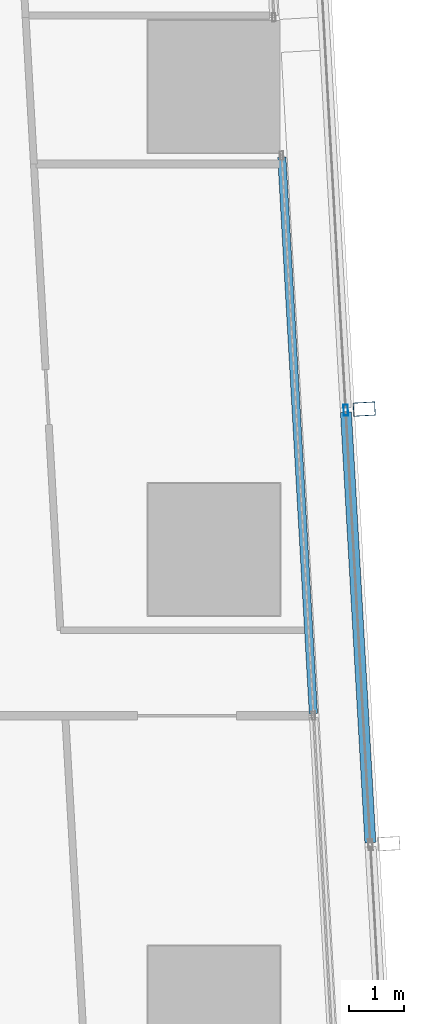
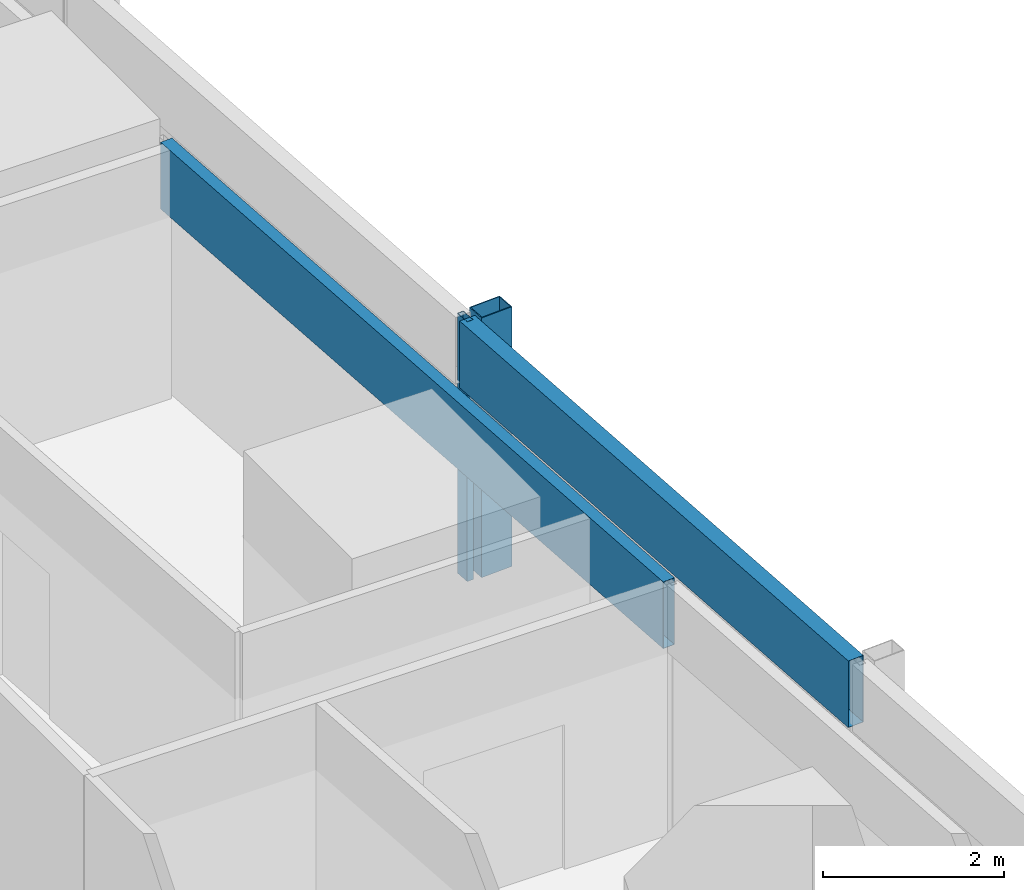
# One storey, part 13 of 37: 4 members, 2 elements without a shape of their own.
"""IFC4 building model written with IfcOpenShell, lengths in metres."""

import ifcopenshell
import ifcopenshell.guid

model = None  # the IFC model being written
_history = None  # IfcOwnerHistory: only IFC2X3 demands one
_inside = {}  # id of a spatial element -> (the spatial element, [elements in it])
_under = {}  # id of a project, library or spatial element -> (it, [spatial elements below it])
_declared = {}  # id of a project -> (the project, [libraries it declares])
_typed = {}  # id of a type object -> (the type object, [elements of that type])
_made_of = {}  # id of a material, layer set ... -> (it, [elements and type objects made of it])


def new_model(schema):
    """Start an empty IFC model of exactly this schema.

    Asked for "IFC4X3", IfcOpenShell would pick the latest addendum, in which some entities
    have other attributes; the version numbers below select the first issue.
    IFC2X3 requires an IfcOwnerHistory on every rooted entity: one is made here for all.
    """
    global model, _history
    if schema == "IFC4X3":
        model = ifcopenshell.file(schema_version=(4, 3, 0, 0))
    else:
        model = ifcopenshell.file(schema=schema)
    _inside.clear()
    _under.clear()
    _declared.clear()
    _typed.clear()
    _made_of.clear()
    _history = None
    if model.schema == "IFC2X3":
        org = make("IfcOrganization", Name="unknown")
        user = make(
            "IfcPersonAndOrganization",
            ThePerson=make("IfcPerson", FamilyName="unknown"),
            TheOrganization=org,
        )
        app = make(
            "IfcApplication",
            ApplicationDeveloper=org,
            Version="unknown",
            ApplicationFullName="unknown",
            ApplicationIdentifier="unknown",
        )
        _history = make(
            "IfcOwnerHistory",
            OwningUser=user,
            OwningApplication=app,
            ChangeAction="ADDED",
            CreationDate=0,
        )
    return model


def make(cls, **values):
    """One entity of the class cls with the attributes given. An attribute that is None is left unset."""
    return model.create_entity(
        cls, **{name: value for name, value in values.items() if value is not None}
    )


def rooted(cls, **values):
    """An entity with a GlobalId (a new one), such as an element, a storey or a relation."""
    return make(cls, GlobalId=ifcopenshell.guid.new(), OwnerHistory=_history, **values)


def si_unit(unit_type, name, prefix=None):
    """IfcSIUnit, for example si_unit("LENGTHUNIT", "METRE", prefix="MILLI")."""
    return make("IfcSIUnit", UnitType=unit_type, Prefix=prefix, Name=name)


def assignment(units):
    """IfcUnitAssignment: the units of a project."""
    return None if units is None else make("IfcUnitAssignment", Units=units)


def point(xyz):
    """IfcCartesianPoint."""
    return None if xyz is None else make("IfcCartesianPoint", Coordinates=xyz)


def direction(xyz):
    """IfcDirection."""
    return None if xyz is None else make("IfcDirection", DirectionRatios=xyz)


def frame(location, z_axis=None, x_axis=None):
    """IfcAxis2Placement3D, a coordinate frame: its origin and axes. An axis left out is left unset."""
    return make(
        "IfcAxis2Placement3D",
        Location=point(location),
        Axis=direction(z_axis),
        RefDirection=direction(x_axis),
    )


def frame_2d(location, x_axis=None):
    """IfcAxis2Placement2D, a coordinate frame in the plane: its origin and x axis."""
    return make(
        "IfcAxis2Placement2D", Location=point(location), RefDirection=direction(x_axis)
    )


def origin():
    """The frame at (0, 0, 0) with its axes left unset."""
    return frame((0.0, 0.0, 0.0))


def origin_2d():
    """The frame at (0, 0) in the plane with its x axis left unset."""
    return frame_2d((0.0, 0.0))


def place(relative_to, where):
    """IfcLocalPlacement: puts the frame where relative to a parent placement (None: the world)."""
    return make(
        "IfcLocalPlacement", PlacementRelTo=relative_to, RelativePlacement=where
    )


def context(
    kind, dimensions, precision=None, world=None, true_north=None, identifier=None
):
    """IfcGeometricRepresentationContext, for example the 3D "Model" context."""
    return make(
        "IfcGeometricRepresentationContext",
        ContextIdentifier=identifier,
        ContextType=kind,
        CoordinateSpaceDimension=dimensions,
        Precision=precision,
        WorldCoordinateSystem=world,
        TrueNorth=true_north,
    )


def subcontext(parent, identifier, kind, view, scale=None):
    """IfcGeometricRepresentationSubContext, for example "Body" below "Model"."""
    return make(
        "IfcGeometricRepresentationSubContext",
        ContextIdentifier=identifier,
        ContextType=kind,
        ParentContext=parent,
        TargetScale=scale,
        TargetView=view,
    )


def project(units=None, contexts=None):
    """IfcProject with its units and contexts."""
    return rooted(
        "IfcProject",
        Name="project",
        RepresentationContexts=contexts,
        UnitsInContext=assignment(units),
    )


def spatial(cls, under=None, at=None, **own):
    """A site, building, storey or space (cls), placed at a placement, below another one or the project."""
    s = rooted(cls, ObjectPlacement=at, **own)
    if under is not None:
        _under.setdefault(under.id(), (under, []))[1].append(s)
    return s


def profile(cls, at=None, kind="AREA", **sizes):
    """A parametric profile (cls). Its sizes go by their IFC names, for example OverallWidth=200.0."""
    return make(cls, ProfileType=kind, Position=at, **sizes)


def hollow_rectangle(**sizes):
    """IfcRectangleHollowProfileDef."""
    return profile("IfcRectangleHollowProfileDef", **sizes)


def extrude(swept, where, along, depth):
    """IfcExtrudedAreaSolid: the profile swept, set in the frame where, extruded along a direction by depth."""
    return make(
        "IfcExtrudedAreaSolid",
        SweptArea=swept,
        Position=where,
        ExtrudedDirection=direction(along),
        Depth=depth,
    )


def shape(context_of_items, identifier, shape_type, items):
    """IfcShapeRepresentation: the items that make up one representation, for example the "Body"."""
    return make(
        "IfcShapeRepresentation",
        ContextOfItems=context_of_items,
        RepresentationIdentifier=identifier,
        RepresentationType=shape_type,
        Items=items,
    )


def material(Name=None, Category=None):
    """IfcMaterial."""
    return make("IfcMaterial", Name=Name, Category=Category)


def material_profile(
    of_material, cross_section, Name=None, Category=None, Priority=None
):
    """IfcMaterialProfile: a cross section and its material."""
    return make(
        "IfcMaterialProfile",
        Name=Name,
        Material=of_material,
        Profile=cross_section,
        Priority=Priority,
        Category=Category,
    )


def profile_set(profiles, Name=None, composite=None):
    """IfcMaterialProfileSet."""
    return make(
        "IfcMaterialProfileSet",
        Name=Name,
        MaterialProfiles=profiles,
        CompositeProfile=composite,
    )


def made_of(thing, what):
    """Note that an element or type object is made of a material, layer set ...; save() writes the relation."""
    if what is not None:
        _made_of.setdefault(what.id(), (what, []))[1].append(thing)
    return thing


def type_object(cls, material=None, **own):
    """A type object (cls), such as IfcWallType, which elements share."""
    return made_of(rooted(cls, **own), material)


def element(
    cls,
    number,
    at=None,
    inside=None,
    cuts=None,
    type_object=None,
    material=None,
    context=None,
    identifier="Body",
    shape_type=None,
    held_by="IfcProductDefinitionShape",
    body=None,
    shapes=None,
    **own,
):
    """One element of the class cls, such as IfcWall. Its Tag is "e" and its number.

    at: its placement. inside: the storey or other place that contains it. cuts: it is an
    opening in that element (IfcRelVoidsElement). A single representation is given by context,
    identifier, shape_type and body (its items); several are given by shapes. held_by: the class
    of the entity that holds the representations. save() writes the other relations.
    """
    e = rooted(cls, Tag="e%d" % number, ObjectPlacement=at, **own)
    if body is not None:
        shapes = [shape(context, identifier, shape_type, body)]
    if shapes is not None:
        e.Representation = make(held_by, Representations=shapes)
    if inside is not None:
        _inside.setdefault(inside.id(), (inside, []))[1].append(e)
    if cuts is not None:
        rooted(
            "IfcRelVoidsElement", RelatingBuildingElement=cuts, RelatedOpeningElement=e
        )
    if type_object is not None:
        _typed.setdefault(type_object.id(), (type_object, []))[1].append(e)
    return made_of(e, material)


def aggregate(whole, parts):
    """IfcRelAggregates: a whole, such as a stair, and the parts it consists of."""
    return rooted("IfcRelAggregates", RelatingObject=whole, RelatedObjects=parts)


def save(model, path):
    """Write the relations noted so far, then the file.

    IfcRelAggregates (storeys below a building ...), IfcRelContainedInSpatialStructure (elements
    in a storey), IfcRelDefinesByType, IfcRelAssociatesMaterial and IfcRelDeclares: one each for
    every whole, place, type object, material and project.
    """
    for whole, parts in _under.values():
        aggregate(whole, parts)
    for where, things in _inside.values():
        rooted(
            "IfcRelContainedInSpatialStructure",
            RelatedElements=things,
            RelatingStructure=where,
        )
    for kind, things in _typed.values():
        rooted("IfcRelDefinesByType", RelatedObjects=things, RelatingType=kind)
    for what, things in _made_of.values():
        rooted("IfcRelAssociatesMaterial", RelatedObjects=things, RelatingMaterial=what)
    for by, libraries in _declared.values():
        rooted("IfcRelDeclares", RelatingContext=by, RelatedDefinitions=libraries)
    model.write(path)


model = new_model("IFC4")

# Units and contexts
model_context = context("Model", 3, precision=1e-05, world=origin(), true_north=direction((0.0, 1.0)))
body_context = subcontext(model_context, "Body", "Model", "MODEL_VIEW")
ifc_project = project(units=[si_unit("LENGTHUNIT", "METRE"), si_unit("AREAUNIT", "SQUARE_METRE"), si_unit("VOLUMEUNIT", "CUBIC_METRE"), si_unit("PLANEANGLEUNIT", "RADIAN"), si_unit("MASSUNIT", "GRAM", prefix="KILO")], contexts=[model_context])

# Site, building, storey
site_placement = place(None, origin())
site = spatial("IfcSite", under=ifc_project, at=site_placement, CompositionType="ELEMENT")
building_placement = place(site_placement, origin())
building = spatial("IfcBuilding", under=site, at=building_placement, Name="Rekha Terrace Tower", CompositionType="ELEMENT")
storey_placement = place(building_placement, frame((0.0, 0.0, 232.699951171875)))
storey = spatial("IfcBuildingStorey", under=building, at=storey_placement, Name="L59", CompositionType="ELEMENT", Elevation=232.699951171875)

# Curtain wall, member
ifc_material_1 = material(Name="Aluminium framing", Category="aluminium")
curtain_wall_type_1 = type_object("IfcCurtainWallType", Name="CW2 double skin outer glazing", PredefinedType="USERDEFINED", material=ifc_material_1)
curtain_wall_1_placement = place(storey_placement, origin())
curtain_wall_1 = element("IfcCurtainWall", 1, at=curtain_wall_1_placement, inside=storey, type_object=curtain_wall_type_1, Name="CW2 double skin outer glazing", ObjectType="DOUBLE SKIN OUTER GLAZING", PredefinedType="USERDEFINED")
ifc_material_2 = material(Name="Steel S355 with fluorocarbon finish", Category="steel")
ifc_material_profile_1 = material_profile(ifc_material_2, hollow_rectangle(XDim=0.25, YDim=0.39990234375, WallThickness=0.012451171875, at=origin_2d()), Name="RHS400x250x12.5")
ifc_profile_set_1 = profile_set([ifc_material_profile_1], Name="Steel S355 with fluorocarbon finish")
member_type_1 = type_object("IfcMemberType", Name="BL1 facade blade RHS 400 x 250", PredefinedType="USERDEFINED", material=ifc_profile_set_1)
member_1_placement = place(storey_placement, frame((61.528076171875, 44.546630859375, 0.0), z_axis=(0.0, 0.0, 1.0), x_axis=(-0.056673619809, 0.998392758797, 0.0)))
member_1 = element("IfcMember", 2, at=member_1_placement, type_object=member_type_1, Name="Facade blade", ObjectType="FACADE BLADE", PredefinedType="USERDEFINED", context=body_context, shape_type="SweptSolid", body=[
    extrude(hollow_rectangle(XDim=0.25, YDim=0.39990234375, WallThickness=0.012451171875, at=origin_2d()), origin(), (0.0, 0.0, 1.0), 3.5),
])

curtain_wall_type_2 = type_object("IfcCurtainWallType", Name="CW1 double skin inner glazing", PredefinedType="USERDEFINED", material=ifc_material_1)
curtain_wall_2_placement = place(storey_placement, origin())
curtain_wall_2 = element("IfcCurtainWall", 3, at=curtain_wall_2_placement, inside=storey, type_object=curtain_wall_type_2, Name="CW1 double skin inner glazing", ObjectType="DOUBLE SKIN INNER GLAZING", PredefinedType="USERDEFINED")
ifc_material_3 = material(Name="Insulated aluminium spandrel box", Category="aluminium")
ifc_material_profile_2 = material_profile(ifc_material_3, hollow_rectangle(XDim=0.14990234375, YDim=0.89990234375, WallThickness=0.0029296875, at=origin_2d()), Name="AL SPANDREL BOX 150x900")
ifc_profile_set_2 = profile_set([ifc_material_profile_2], Name="Insulated aluminium spandrel box")
member_type_2 = type_object("IfcMemberType", Name="CW1 spandrel transom 150 x 900", PredefinedType="USERDEFINED", material=ifc_profile_set_2)
member_2_placement = place(storey_placement, frame((60.605224609375, 39.01318359375, 3.050048828125), z_axis=(-0.056669850498, 0.998392972754, 0.0), x_axis=(-0.998392972754, -0.056669850498, 0.0)))
member_2 = element("IfcMember", 4, at=member_2_placement, type_object=member_type_2, Name="CW1 spandrel transom 2", ObjectType="TRANSOM", PredefinedType="USERDEFINED", context=body_context, shape_type="SweptSolid", body=[
    extrude(hollow_rectangle(XDim=0.14990234375, YDim=0.89990234375, WallThickness=0.0029296875, at=origin_2d()), origin(), (0.0, 0.0, 1.0), 10.119873046875),
])
aggregate(curtain_wall_2, [member_2])

# Member
ifc_material_4 = material(Name="Aluminium mullion section", Category="aluminium")
ifc_material_profile_3 = material_profile(ifc_material_4, hollow_rectangle(XDim=0.080078125, YDim=0.199951171875, WallThickness=0.00390625, at=origin_2d()), Name="AL RHS 80x200")
ifc_profile_set_3 = profile_set([ifc_material_profile_3], Name="Aluminium mullion section")
member_type_3 = type_object("IfcMemberType", Name="CW2 mullion RHS 80 x 200", PredefinedType="MULLION", material=ifc_profile_set_3)
member_3_placement = place(storey_placement, frame((61.193603515625, 44.527587890625, 0.0), z_axis=(0.0, 0.0, 1.0), x_axis=(-0.998392782919, -0.05667319486, 0.0)))
member_3 = element("IfcMember", 5, at=member_3_placement, type_object=member_type_3, Name="CW2 mullion 3", PredefinedType="MULLION", context=body_context, shape_type="SweptSolid", body=[
    extrude(hollow_rectangle(XDim=0.080078125, YDim=0.199951171875, WallThickness=0.00390625, at=origin_2d()), origin(), (0.0, 0.0, 1.0), 3.5),
])

ifc_material_profile_4 = material_profile(ifc_material_3, hollow_rectangle(XDim=0.199951171875, YDim=0.89990234375, WallThickness=0.0029296875, at=origin_2d()), Name="AL SPANDREL BOX 200x900")
ifc_profile_set_4 = profile_set([ifc_material_profile_4], Name="Insulated aluminium spandrel box")
member_type_4 = type_object("IfcMemberType", Name="CW2 spandrel transom 200 x 900", PredefinedType="USERDEFINED", material=ifc_profile_set_4)
member_4_placement = place(storey_placement, frame((61.63916015625, 36.6767578125, 3.050048828125), z_axis=(-0.056669428082, 0.998392996731, 0.0), x_axis=(-0.998392996731, -0.056669428082, 0.0)))
member_4 = element("IfcMember", 6, at=member_4_placement, type_object=member_type_4, Name="CW2 spandrel transom 2", ObjectType="TRANSOM", PredefinedType="USERDEFINED", context=body_context, shape_type="SweptSolid", body=[
    extrude(hollow_rectangle(XDim=0.199951171875, YDim=0.89990234375, WallThickness=0.0029296875, at=origin_2d()), origin(), (0.0, 0.0, 1.0), 7.823486328125),
])

aggregate(curtain_wall_1, [member_3, member_4, member_1])

save(model, "model.ifc")
